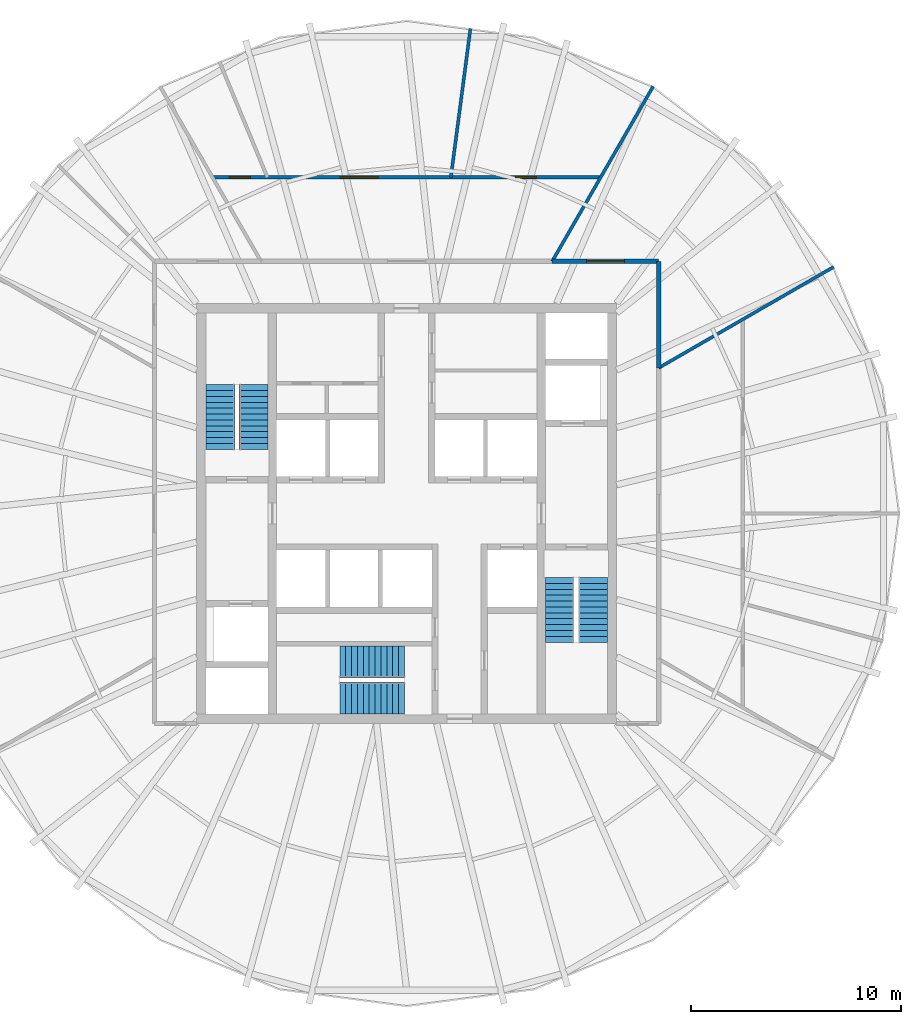
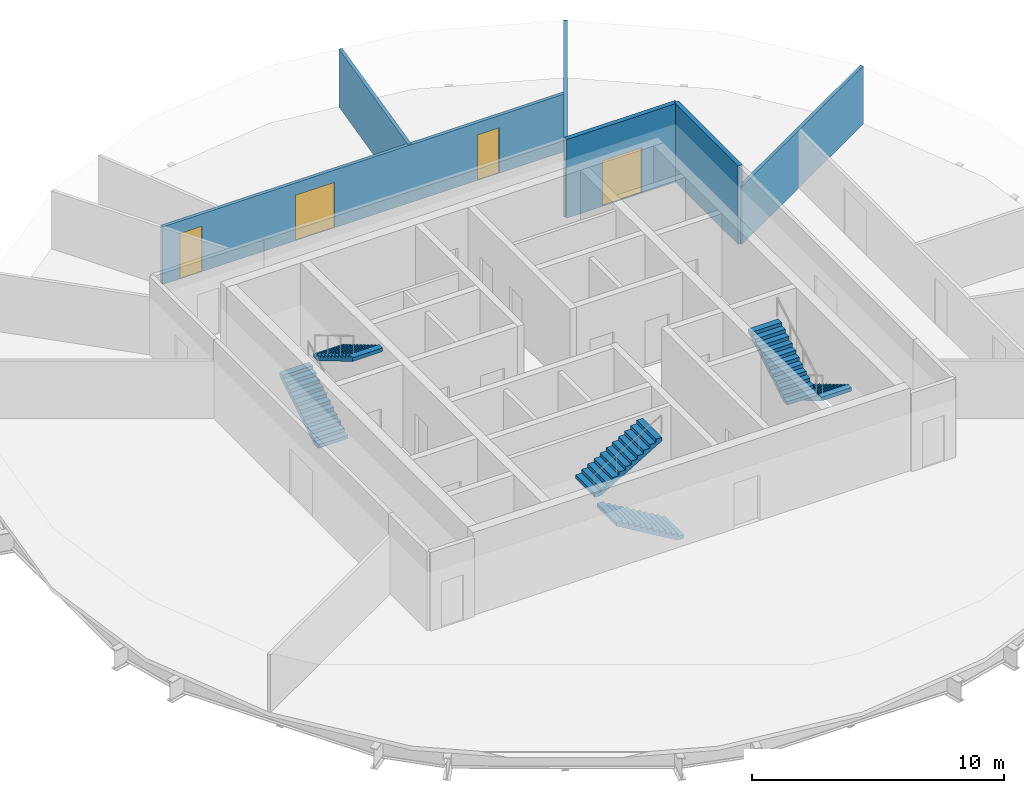
# One storey, part 5 of 6: 6 stair flights, 6 walls, 4 doors, 4 openings, 3 elements without a shape of their own.
"""IFC4 building model written with IfcOpenShell, lengths in metres."""

from ifc_helpers import new_model, si_unit, direction, frame, frame_2d, origin, place, context, subcontext, project, spatial, polyline, rectangle, outline, extrude, material, layer, layer_set, type_object, element, fill, aggregate, save


model = new_model("IFC4")

# Units and contexts
model_context = context("Model", 3, precision=1e-05, world=origin(), true_north=direction((0.0, 1.0)))
body_context = subcontext(model_context, "Body", "Model", "MODEL_VIEW")
ifc_project = project(units=[si_unit("LENGTHUNIT", "METRE"), si_unit("AREAUNIT", "SQUARE_METRE"), si_unit("VOLUMEUNIT", "CUBIC_METRE"), si_unit("PLANEANGLEUNIT", "RADIAN"), si_unit("MASSUNIT", "GRAM", prefix="KILO")], contexts=[model_context])

# Site, building, storey
site_placement = place(None, origin())
site = spatial("IfcSite", under=ifc_project, at=site_placement, CompositionType="ELEMENT")
building_placement = place(site_placement, origin())
building = spatial("IfcBuilding", under=site, at=building_placement, Name="Golbaran Civic Tower", CompositionType="ELEMENT")
storey_placement = place(building_placement, frame((0.0, 0.0, 203.0)))
storey = spatial("IfcBuildingStorey", under=building, at=storey_placement, Name="L49", CompositionType="ELEMENT", Elevation=203.0)

# Wall
ifc_material_1 = material(Name="Gypsum board on steel studs, fire-rated", Category="steel")
ifc_layer_1 = layer(ifc_material_1, 0.199951171875, Name="Gypsum board on steel studs, fire-rated")
ifc_layer_set_1 = layer_set([ifc_layer_1], Name="Gypsum board on steel studs, fire-rated")
wall_type_1 = type_object("IfcWallType", Name="CORRIDOR WALL 200", PredefinedType="PARTITIONING", material=ifc_layer_set_1)
wall_1_placement = place(storey_placement, frame((12.0, 6.92822265625, 0.0), z_axis=(0.0, 0.0, 1.0), x_axis=(0.0, 1.0, 0.0)))
element("IfcWall", 1, at=wall_1_placement, inside=storey, type_object=wall_type_1, Name="Corridor wall L49", PredefinedType="PARTITIONING", context=body_context, shape_type="SweptSolid", body=[
    extrude(rectangle(XDim=5.07177734375, YDim=0.199951171875, at=frame_2d((2.535888671875, 0.0))), origin(), (0.0, 0.0, 1.0), 3.800048828125),
])

# Wall, opening, door
wall_2_placement = place(storey_placement, frame((12.0, 12.0, 0.0), z_axis=(0.0, 0.0, 1.0), x_axis=(-1.0, 0.0, 0.0)))
wall_2 = element("IfcWall", 2, at=wall_2_placement, inside=storey, type_object=wall_type_1, Name="Corridor wall L49", PredefinedType="PARTITIONING", context=body_context, shape_type="SweptSolid", body=[
    extrude(rectangle(XDim=5.07177734375, YDim=0.199951171875, at=frame_2d((2.535888671875, 0.0))), origin(), (0.0, 0.0, 1.0), 3.800048828125),
])
opening_1_placement = place(wall_2_placement, frame((1.635986328125, 0.0, 0.0)))
opening_1 = element("IfcOpeningElement", 3, at=opening_1_placement, cuts=wall_2, Name="Opening L49.08", PredefinedType="OPENING", context=body_context, shape_type="SweptSolid", body=[
    extrude(rectangle(XDim=1.800048828125, YDim=2.199951171875, at=frame_2d((0.89990234375, 1.10009765625))), frame((0.0, 0.10986328125, 0.0), z_axis=(0.0, -1.0, 0.0), x_axis=(1.0, 0.0, 0.0)), (0.0, 0.0, 1.0), 0.219970703125),
])
ifc_material_2 = material(Name="Timber door set in steel frame", Category="steel")
door_type_1 = type_object("IfcDoorType", Name="OFFICE DOUBLE DOOR 1800x2200", OperationType="DOUBLE_DOOR_SINGLE_SWING", PredefinedType="DOOR", material=ifc_material_2)
door_1_placement = place(opening_1_placement, origin())
door_1 = element("IfcDoor", 4, at=door_1_placement, inside=storey, type_object=door_type_1, Name="Open Office door L49", OperationType="DOUBLE_DOOR_SINGLE_SWING", OverallHeight=2.199951171875, OverallWidth=1.800048828125, PredefinedType="DOOR", context=body_context, shape_type="SweptSolid", body=[
    extrude(rectangle(XDim=1.800048828125, YDim=2.199951171875, at=frame_2d((0.89990234375, 1.10009765625))), frame((0.0, 0.02490234375, 0.0), z_axis=(0.0, -1.0, 0.0), x_axis=(1.0, 0.0, 0.0)), (0.0, 0.0, 1.0), 0.050048828125),
])
fill(opening_1, door_1)

# Walls
ifc_material_3 = material(Name="Gypsum board on steel studs", Category="steel")
ifc_layer_2 = layer(ifc_material_3, 0.14990234375, Name="Gypsum board on steel studs")
ifc_layer_set_2 = layer_set([ifc_layer_2], Name="Gypsum board on steel studs")
wall_type_2 = type_object("IfcWallType", Name="OFFICE PARTITION 150", PredefinedType="PARTITIONING", material=ifc_layer_set_2)
for number, where, z_axis, x_axis, name in (
    (5, (12.0, 6.92822265625, 0.0), (0.0, 0.0, 1.0), (0.866030904871, 0.499990471717, 0.0), "Partition 30 L49"),
    (6, (6.92822265625, 12.0, 0.0), (0.0, 0.0, 1.0), (0.499990471717, 0.866030904871, 0.0), "Partition 60 L49"),
):
    element("IfcWall", number, at=place(storey_placement, frame(where, z_axis=z_axis, x_axis=x_axis)), inside=storey, type_object=wall_type_2, Name=name, PredefinedType="PARTITIONING", context=body_context, shape_type="SweptSolid", body=[
        extrude(rectangle(XDim=9.619873046875, YDim=0.14990234375, at=frame_2d((4.81005859375, 0.0))), origin(), (0.0, 0.0, 1.0), 2.7900390625),
    ])

# Wall, openings, doors
wall_3_placement = place(storey_placement, frame((9.237548828125, 16.0, 0.0), z_axis=(0.0, 0.0, 1.0), x_axis=(-1.0, 0.0, 0.0)))
wall_3 = element("IfcWall", 7, at=wall_3_placement, inside=storey, type_object=wall_type_2, Name="Suite partition L49", PredefinedType="PARTITIONING", context=body_context, shape_type="SweptSolid", body=[
    extrude(rectangle(XDim=18.47509765625, YDim=0.14990234375, at=frame_2d((9.237548828125, 0.0))), origin(), (0.0, 0.0, 1.0), 2.7900390625),
])
opening_2_placement = place(wall_3_placement, frame((3.065673828125, 0.0, 0.0)))
opening_2 = element("IfcOpeningElement", 8, at=opening_2_placement, cuts=wall_3, Name="Opening L49.04", PredefinedType="OPENING", context=body_context, shape_type="SweptSolid", body=[
    extrude(rectangle(XDim=1.0, YDim=2.199951171875, at=frame_2d((0.5, 1.10009765625))), frame((0.0, 0.0849609375, 0.0), z_axis=(0.0, -1.0, 0.0), x_axis=(1.0, 0.0, 0.0)), (0.0, 0.0, 1.0), 0.169921875),
])
opening_3_placement = place(wall_3_placement, frame((10.59814453125, 0.0, 0.0)))
opening_3 = element("IfcOpeningElement", 9, at=opening_3_placement, cuts=wall_3, Name="Opening L49.05", PredefinedType="OPENING", context=body_context, shape_type="SweptSolid", body=[
    extrude(rectangle(XDim=1.800048828125, YDim=2.199951171875, at=frame_2d((0.89990234375, 1.10009765625))), frame((0.0, 0.0849609375, 0.0), z_axis=(0.0, -1.0, 0.0), x_axis=(1.0, 0.0, 0.0)), (0.0, 0.0, 1.0), 0.169921875),
])
opening_4_placement = place(wall_3_placement, frame((16.670166015625, 0.0, 0.0)))
opening_4 = element("IfcOpeningElement", 10, at=opening_4_placement, cuts=wall_3, Name="Opening L49.06", PredefinedType="OPENING", context=body_context, shape_type="SweptSolid", body=[
    extrude(rectangle(XDim=1.0, YDim=2.199951171875, at=frame_2d((0.5, 1.10009765625))), frame((0.0, 0.0849609375, 0.0), z_axis=(0.0, -1.0, 0.0), x_axis=(1.0, 0.0, 0.0)), (0.0, 0.0, 1.0), 0.169921875),
])
door_type_2 = type_object("IfcDoorType", Name="OFFICE DOOR 1000x2200", OperationType="SINGLE_SWING_LEFT", PredefinedType="DOOR", material=ifc_material_2)
door_2_placement = place(opening_2_placement, origin())
door_2 = element("IfcDoor", 11, at=door_2_placement, inside=storey, type_object=door_type_2, Name="Office door L49", OperationType="SINGLE_SWING_LEFT", OverallHeight=2.199951171875, OverallWidth=1.0, PredefinedType="DOOR", context=body_context, shape_type="SweptSolid", body=[
    extrude(rectangle(XDim=1.0, YDim=2.199951171875, at=frame_2d((0.5, 1.10009765625))), frame((0.0, 0.02490234375, 0.0), z_axis=(0.0, -1.0, 0.0), x_axis=(1.0, 0.0, 0.0)), (0.0, 0.0, 1.0), 0.050048828125),
])
fill(opening_2, door_2)
door_3_placement = place(opening_4_placement, origin())
door_3 = element("IfcDoor", 12, at=door_3_placement, inside=storey, type_object=door_type_2, Name="Office door L49", OperationType="SINGLE_SWING_RIGHT", OverallHeight=2.199951171875, OverallWidth=1.0, PredefinedType="DOOR", context=body_context, shape_type="SweptSolid", body=[
    extrude(rectangle(XDim=1.0, YDim=2.199951171875, at=frame_2d((0.5, 1.10009765625))), frame((0.0, 0.02490234375, 0.0), z_axis=(0.0, -1.0, 0.0), x_axis=(1.0, 0.0, 0.0)), (0.0, 0.0, 1.0), 0.050048828125),
])
fill(opening_4, door_3)
door_4_placement = place(opening_3_placement, origin())
door_4 = element("IfcDoor", 13, at=door_4_placement, inside=storey, type_object=door_type_1, Name="Office door L49", OperationType="DOUBLE_DOOR_SINGLE_SWING", OverallHeight=2.199951171875, OverallWidth=1.800048828125, PredefinedType="DOOR", context=body_context, shape_type="SweptSolid", body=[
    extrude(rectangle(XDim=1.800048828125, YDim=2.199951171875, at=frame_2d((0.89990234375, 1.10009765625))), frame((0.0, 0.02490234375, 0.0), z_axis=(0.0, -1.0, 0.0), x_axis=(1.0, 0.0, 0.0)), (0.0, 0.0, 1.0), 0.050048828125),
])
fill(opening_3, door_4)

# Wall
wall_4_placement = place(storey_placement, frame((2.1064453125, 16.0, 0.0), z_axis=(0.0, 0.0, 1.0), x_axis=(0.130532379334, 0.991444046805, 0.0)))
element("IfcWall", 14, at=wall_4_placement, inside=storey, type_object=wall_type_2, Name="Partition 82.5 L49", PredefinedType="PARTITIONING", context=body_context, shape_type="SweptSolid", body=[
    extrude(rectangle(XDim=7.13720703125, YDim=0.14990234375, at=frame_2d((3.568603515625, 0.0))), origin(), (0.0, 0.0, 1.0), 2.7900390625),
])

# Stair, stair flights
ifc_material_4 = material(Name="Concrete C35/45", Category="concrete")
stair_type_1 = type_object("IfcStairType", Name="EXIT STAIR 2950 x 7800, 4000 RISE", PredefinedType="HALF_TURN_STAIR", material=ifc_material_4)
stair_1_placement = place(storey_placement, origin())
stair_1 = element("IfcStair", 15, at=stair_1_placement, inside=storey, type_object=stair_type_1, Name="Stair S1 L49", PredefinedType="HALF_TURN_STAIR")
stair_flight_type_1 = type_object("IfcStairFlightType", Name="STAIR FLIGHT 1375 WIDE", PredefinedType="STRAIGHT", material=ifc_material_4)
stair_flight_1_placement = place(storey_placement, frame((-8.862548828125, 3.050048828125, 0.0), z_axis=(0.0, 0.0, 1.0), x_axis=(0.0, 1.0, 0.0)))
stair_flight_1 = element("IfcStairFlight", 16, at=stair_flight_1_placement, type_object=stair_flight_type_1, Name="ST29578-40 flight 1", NumberOfRisers=12, NumberOfTreads=11, PredefinedType="STRAIGHT", RiserHeight=0.166666667, TreadLength=0.28, context=body_context, shape_type="SweptSolid", body=[
    extrude(outline(polyline([(0.0, 0.0), (0.0, 0.166748046875), (0.280029296875, 0.166748046875), (0.280029296875, 0.333251953125), (0.56005859375, 0.333251953125), (0.56005859375, 0.5), (0.840087890625, 0.5), (0.840087890625, 0.666748046875), (1.1201171875, 0.666748046875), (1.1201171875, 0.833251953125), (1.39990234375, 0.833251953125), (1.39990234375, 1.0), (1.679931640625, 1.0), (1.679931640625, 1.166748046875), (1.9599609375, 1.166748046875), (1.9599609375, 1.333251953125), (2.239990234375, 1.333251953125), (2.239990234375, 1.5), (2.52001953125, 1.5), (2.52001953125, 1.666748046875), (2.800048828125, 1.666748046875), (2.800048828125, 1.833251953125), (3.080078125, 1.833251953125), (3.080078125, 2.0), (3.080078125, 1.658935546875), (0.29296875, 0.0), (0.0, 0.0)])), frame((0.0, 0.6875, 0.0), z_axis=(0.0, -1.0, 0.0), x_axis=(1.0, 0.0, 0.0)), (0.0, 0.0, 1.0), 1.375),
])
stair_flight_2_placement = place(storey_placement, frame((-7.28759765625, 6.1298828125, 2.0), z_axis=(0.0, 0.0, 1.0), x_axis=(0.0, -1.0, 0.0)))
stair_flight_2 = element("IfcStairFlight", 17, at=stair_flight_2_placement, type_object=stair_flight_type_1, Name="ST29578-40 flight 2", NumberOfRisers=12, NumberOfTreads=11, PredefinedType="STRAIGHT", RiserHeight=0.166666667, TreadLength=0.28, context=body_context, shape_type="SweptSolid", body=[
    extrude(outline(polyline([(0.0, 0.0), (0.0, 0.166748046875), (0.280029296875, 0.166748046875), (0.280029296875, 0.333251953125), (0.56005859375, 0.333251953125), (0.56005859375, 0.5), (0.840087890625, 0.5), (0.840087890625, 0.666748046875), (1.1201171875, 0.666748046875), (1.1201171875, 0.833251953125), (1.39990234375, 0.833251953125), (1.39990234375, 1.0), (1.679931640625, 1.0), (1.679931640625, 1.166748046875), (1.9599609375, 1.166748046875), (1.9599609375, 1.333251953125), (2.239990234375, 1.333251953125), (2.239990234375, 1.5), (2.52001953125, 1.5), (2.52001953125, 1.666748046875), (2.800048828125, 1.666748046875), (2.800048828125, 1.833251953125), (3.080078125, 1.833251953125), (3.080078125, 2.0), (3.080078125, 1.658935546875), (0.29296875, 0.0), (0.0, 0.0)])), frame((0.0, 0.6875, 0.0), z_axis=(0.0, -1.0, 0.0), x_axis=(1.0, 0.0, 0.0)), (0.0, 0.0, 1.0), 1.375),
])
aggregate(stair_1, [stair_flight_1, stair_flight_2])

stair_2_placement = place(storey_placement, origin())
stair_2 = element("IfcStair", 18, at=stair_2_placement, inside=storey, type_object=stair_type_1, Name="Stair S2 L49", PredefinedType="HALF_TURN_STAIR")
stair_flight_3_placement = place(storey_placement, frame((8.862548828125, -3.050048828125, 0.0), z_axis=(0.0, 0.0, 1.0), x_axis=(0.0, -1.0, 0.0)))
stair_flight_3 = element("IfcStairFlight", 19, at=stair_flight_3_placement, type_object=stair_flight_type_1, Name="ST29578-40 flight 1", NumberOfRisers=12, NumberOfTreads=11, PredefinedType="STRAIGHT", RiserHeight=0.166666667, TreadLength=0.28, context=body_context, shape_type="SweptSolid", body=[
    extrude(outline(polyline([(0.0, 0.0), (0.0, 0.166748046875), (0.280029296875, 0.166748046875), (0.280029296875, 0.333251953125), (0.56005859375, 0.333251953125), (0.56005859375, 0.5), (0.840087890625, 0.5), (0.840087890625, 0.666748046875), (1.1201171875, 0.666748046875), (1.1201171875, 0.833251953125), (1.39990234375, 0.833251953125), (1.39990234375, 1.0), (1.679931640625, 1.0), (1.679931640625, 1.166748046875), (1.9599609375, 1.166748046875), (1.9599609375, 1.333251953125), (2.239990234375, 1.333251953125), (2.239990234375, 1.5), (2.52001953125, 1.5), (2.52001953125, 1.666748046875), (2.800048828125, 1.666748046875), (2.800048828125, 1.833251953125), (3.080078125, 1.833251953125), (3.080078125, 2.0), (3.080078125, 1.658935546875), (0.29296875, 0.0), (0.0, 0.0)])), frame((0.0, 0.6875, 0.0), z_axis=(0.0, -1.0, 0.0), x_axis=(1.0, 0.0, 0.0)), (0.0, 0.0, 1.0), 1.375),
])
stair_flight_4_placement = place(storey_placement, frame((7.28759765625, -6.1298828125, 2.0), z_axis=(0.0, 0.0, 1.0), x_axis=(0.0, 1.0, 0.0)))
stair_flight_4 = element("IfcStairFlight", 20, at=stair_flight_4_placement, type_object=stair_flight_type_1, Name="ST29578-40 flight 2", NumberOfRisers=12, NumberOfTreads=11, PredefinedType="STRAIGHT", RiserHeight=0.166666667, TreadLength=0.28, context=body_context, shape_type="SweptSolid", body=[
    extrude(outline(polyline([(0.0, 0.0), (0.0, 0.166748046875), (0.280029296875, 0.166748046875), (0.280029296875, 0.333251953125), (0.56005859375, 0.333251953125), (0.56005859375, 0.5), (0.840087890625, 0.5), (0.840087890625, 0.666748046875), (1.1201171875, 0.666748046875), (1.1201171875, 0.833251953125), (1.39990234375, 0.833251953125), (1.39990234375, 1.0), (1.679931640625, 1.0), (1.679931640625, 1.166748046875), (1.9599609375, 1.166748046875), (1.9599609375, 1.333251953125), (2.239990234375, 1.333251953125), (2.239990234375, 1.5), (2.52001953125, 1.5), (2.52001953125, 1.666748046875), (2.800048828125, 1.666748046875), (2.800048828125, 1.833251953125), (3.080078125, 1.833251953125), (3.080078125, 2.0), (3.080078125, 1.658935546875), (0.29296875, 0.0), (0.0, 0.0)])), frame((0.0, 0.6875, 0.0), z_axis=(0.0, -1.0, 0.0), x_axis=(1.0, 0.0, 0.0)), (0.0, 0.0, 1.0), 1.375),
])
aggregate(stair_2, [stair_flight_3, stair_flight_4])

stair_type_2 = type_object("IfcStairType", Name="EXIT STAIR 3250 x 7400, 4000 RISE", PredefinedType="HALF_TURN_STAIR", material=ifc_material_4)
stair_3_placement = place(storey_placement, origin())
stair_3 = element("IfcStair", 21, at=stair_3_placement, inside=storey, type_object=stair_type_2, Name="Stair S3 L49", PredefinedType="HALF_TURN_STAIR")
stair_flight_type_2 = type_object("IfcStairFlightType", Name="STAIR FLIGHT 1525 WIDE", PredefinedType="STRAIGHT", material=ifc_material_4)
stair_flight_5_placement = place(storey_placement, frame((-0.10009765625, -8.78759765625, 0.0), z_axis=(0.0, 0.0, 1.0), x_axis=(-1.0, 0.0, 0.0)))
stair_flight_5 = element("IfcStairFlight", 22, at=stair_flight_5_placement, type_object=stair_flight_type_2, Name="ST32574-40 flight 1", NumberOfRisers=12, NumberOfTreads=11, PredefinedType="STRAIGHT", RiserHeight=0.166666667, TreadLength=0.28, context=body_context, shape_type="SweptSolid", body=[
    extrude(outline(polyline([(0.0, 0.0), (0.0, 0.166748046875), (0.280029296875, 0.166748046875), (0.280029296875, 0.333251953125), (0.56005859375, 0.333251953125), (0.56005859375, 0.5), (0.840087890625, 0.5), (0.840087890625, 0.666748046875), (1.1201171875, 0.666748046875), (1.1201171875, 0.833251953125), (1.39990234375, 0.833251953125), (1.39990234375, 1.0), (1.679931640625, 1.0), (1.679931640625, 1.166748046875), (1.9599609375, 1.166748046875), (1.9599609375, 1.333251953125), (2.239990234375, 1.333251953125), (2.239990234375, 1.5), (2.52001953125, 1.5), (2.52001953125, 1.666748046875), (2.800048828125, 1.666748046875), (2.800048828125, 1.833251953125), (3.080078125, 1.833251953125), (3.080078125, 2.0), (3.080078125, 1.658935546875), (0.29296875, 0.0), (0.0, 0.0)])), frame((0.0, 0.762451171875, 0.0), z_axis=(0.0, -1.0, 0.0), x_axis=(1.0, 0.0, 0.0)), (0.0, 0.0, 1.0), 1.52490234375),
])
stair_flight_6_placement = place(storey_placement, frame((-3.179931640625, -7.0625, 2.0), z_axis=(0.0, 0.0, 1.0), x_axis=(1.0, 0.0, 0.0)))
stair_flight_6 = element("IfcStairFlight", 23, at=stair_flight_6_placement, type_object=stair_flight_type_2, Name="ST32574-40 flight 2", NumberOfRisers=12, NumberOfTreads=11, PredefinedType="STRAIGHT", RiserHeight=0.166666667, TreadLength=0.28, context=body_context, shape_type="SweptSolid", body=[
    extrude(outline(polyline([(0.0, 0.0), (0.0, 0.166748046875), (0.280029296875, 0.166748046875), (0.280029296875, 0.333251953125), (0.56005859375, 0.333251953125), (0.56005859375, 0.5), (0.840087890625, 0.5), (0.840087890625, 0.666748046875), (1.1201171875, 0.666748046875), (1.1201171875, 0.833251953125), (1.39990234375, 0.833251953125), (1.39990234375, 1.0), (1.679931640625, 1.0), (1.679931640625, 1.166748046875), (1.9599609375, 1.166748046875), (1.9599609375, 1.333251953125), (2.239990234375, 1.333251953125), (2.239990234375, 1.5), (2.52001953125, 1.5), (2.52001953125, 1.666748046875), (2.800048828125, 1.666748046875), (2.800048828125, 1.833251953125), (3.080078125, 1.833251953125), (3.080078125, 2.0), (3.080078125, 1.658935546875), (0.29296875, 0.0), (0.0, 0.0)])), frame((0.0, 0.762451171875, 0.0), z_axis=(0.0, -1.0, 0.0), x_axis=(1.0, 0.0, 0.0)), (0.0, 0.0, 1.0), 1.52490234375),
])
aggregate(stair_3, [stair_flight_5, stair_flight_6])

save(model, "model.ifc")
